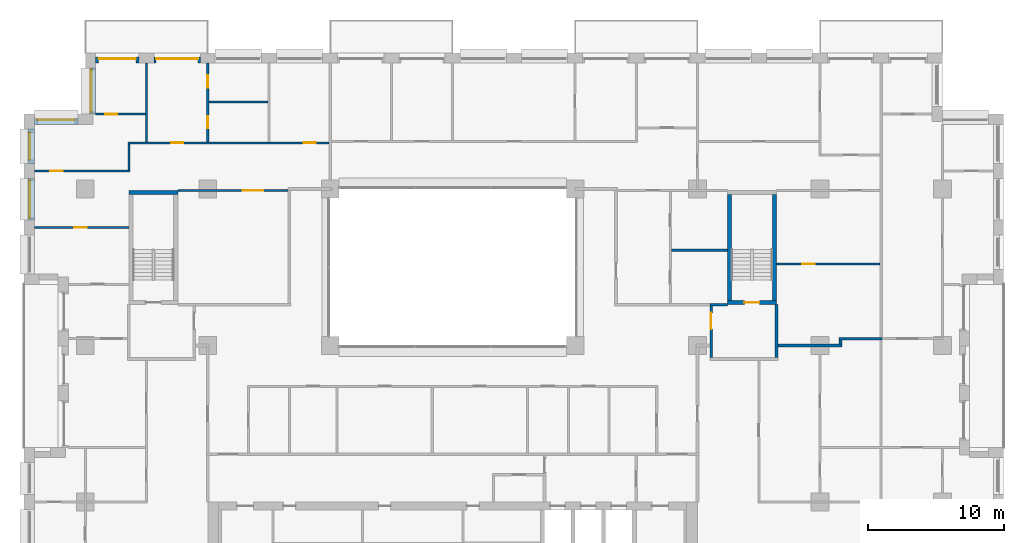
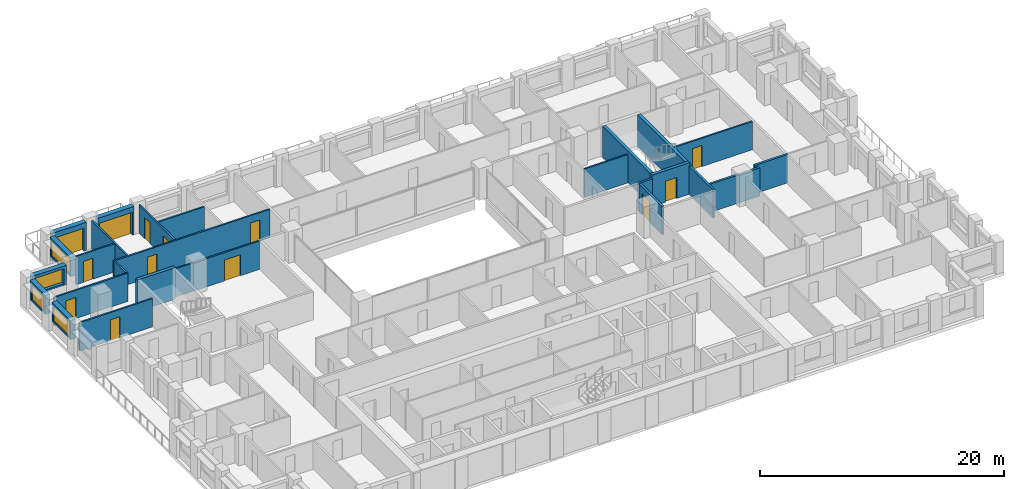
# One storey, part 12 of 16: 27 walls, 13 doors, 4 windows, 17 openings.
"""IFC4 building model written with IfcOpenShell, lengths in metres."""

import ifcopenshell
import ifcopenshell.guid

model = None  # the IFC model being written
_history = None  # IfcOwnerHistory: only IFC2X3 demands one
_inside = {}  # id of a spatial element -> (the spatial element, [elements in it])
_under = {}  # id of a project, library or spatial element -> (it, [spatial elements below it])
_declared = {}  # id of a project -> (the project, [libraries it declares])
_typed = {}  # id of a type object -> (the type object, [elements of that type])
_made_of = {}  # id of a material, layer set ... -> (it, [elements and type objects made of it])


def new_model(schema):
    """Start an empty IFC model of exactly this schema.

    Asked for "IFC4X3", IfcOpenShell would pick the latest addendum, in which some entities
    have other attributes; the version numbers below select the first issue.
    IFC2X3 requires an IfcOwnerHistory on every rooted entity: one is made here for all.
    """
    global model, _history
    if schema == "IFC4X3":
        model = ifcopenshell.file(schema_version=(4, 3, 0, 0))
    else:
        model = ifcopenshell.file(schema=schema)
    _inside.clear()
    _under.clear()
    _declared.clear()
    _typed.clear()
    _made_of.clear()
    _history = None
    if model.schema == "IFC2X3":
        org = make("IfcOrganization", Name="unknown")
        user = make(
            "IfcPersonAndOrganization",
            ThePerson=make("IfcPerson", FamilyName="unknown"),
            TheOrganization=org,
        )
        app = make(
            "IfcApplication",
            ApplicationDeveloper=org,
            Version="unknown",
            ApplicationFullName="unknown",
            ApplicationIdentifier="unknown",
        )
        _history = make(
            "IfcOwnerHistory",
            OwningUser=user,
            OwningApplication=app,
            ChangeAction="ADDED",
            CreationDate=0,
        )
    return model


def make(cls, **values):
    """One entity of the class cls with the attributes given. An attribute that is None is left unset."""
    return model.create_entity(
        cls, **{name: value for name, value in values.items() if value is not None}
    )


def rooted(cls, **values):
    """An entity with a GlobalId (a new one), such as an element, a storey or a relation."""
    return make(cls, GlobalId=ifcopenshell.guid.new(), OwnerHistory=_history, **values)


def si_unit(unit_type, name, prefix=None):
    """IfcSIUnit, for example si_unit("LENGTHUNIT", "METRE", prefix="MILLI")."""
    return make("IfcSIUnit", UnitType=unit_type, Prefix=prefix, Name=name)


def assignment(units):
    """IfcUnitAssignment: the units of a project."""
    return None if units is None else make("IfcUnitAssignment", Units=units)


def point(xyz):
    """IfcCartesianPoint."""
    return None if xyz is None else make("IfcCartesianPoint", Coordinates=xyz)


def direction(xyz):
    """IfcDirection."""
    return None if xyz is None else make("IfcDirection", DirectionRatios=xyz)


def frame(location, z_axis=None, x_axis=None):
    """IfcAxis2Placement3D, a coordinate frame: its origin and axes. An axis left out is left unset."""
    return make(
        "IfcAxis2Placement3D",
        Location=point(location),
        Axis=direction(z_axis),
        RefDirection=direction(x_axis),
    )


def frame_2d(location, x_axis=None):
    """IfcAxis2Placement2D, a coordinate frame in the plane: its origin and x axis."""
    return make(
        "IfcAxis2Placement2D", Location=point(location), RefDirection=direction(x_axis)
    )


def origin():
    """The frame at (0, 0, 0) with its axes left unset."""
    return frame((0.0, 0.0, 0.0))


def place(relative_to, where):
    """IfcLocalPlacement: puts the frame where relative to a parent placement (None: the world)."""
    return make(
        "IfcLocalPlacement", PlacementRelTo=relative_to, RelativePlacement=where
    )


def context(
    kind, dimensions, precision=None, world=None, true_north=None, identifier=None
):
    """IfcGeometricRepresentationContext, for example the 3D "Model" context."""
    return make(
        "IfcGeometricRepresentationContext",
        ContextIdentifier=identifier,
        ContextType=kind,
        CoordinateSpaceDimension=dimensions,
        Precision=precision,
        WorldCoordinateSystem=world,
        TrueNorth=true_north,
    )


def subcontext(parent, identifier, kind, view, scale=None):
    """IfcGeometricRepresentationSubContext, for example "Body" below "Model"."""
    return make(
        "IfcGeometricRepresentationSubContext",
        ContextIdentifier=identifier,
        ContextType=kind,
        ParentContext=parent,
        TargetScale=scale,
        TargetView=view,
    )


def project(units=None, contexts=None):
    """IfcProject with its units and contexts."""
    return rooted(
        "IfcProject",
        Name="project",
        RepresentationContexts=contexts,
        UnitsInContext=assignment(units),
    )


def spatial(cls, under=None, at=None, **own):
    """A site, building, storey or space (cls), placed at a placement, below another one or the project."""
    s = rooted(cls, ObjectPlacement=at, **own)
    if under is not None:
        _under.setdefault(under.id(), (under, []))[1].append(s)
    return s


def profile(cls, at=None, kind="AREA", **sizes):
    """A parametric profile (cls). Its sizes go by their IFC names, for example OverallWidth=200.0."""
    return make(cls, ProfileType=kind, Position=at, **sizes)


def rectangle(**sizes):
    """IfcRectangleProfileDef."""
    return profile("IfcRectangleProfileDef", **sizes)


def extrude(swept, where, along, depth):
    """IfcExtrudedAreaSolid: the profile swept, set in the frame where, extruded along a direction by depth."""
    return make(
        "IfcExtrudedAreaSolid",
        SweptArea=swept,
        Position=where,
        ExtrudedDirection=direction(along),
        Depth=depth,
    )


def shape(context_of_items, identifier, shape_type, items):
    """IfcShapeRepresentation: the items that make up one representation, for example the "Body"."""
    return make(
        "IfcShapeRepresentation",
        ContextOfItems=context_of_items,
        RepresentationIdentifier=identifier,
        RepresentationType=shape_type,
        Items=items,
    )


def material(Name=None, Category=None):
    """IfcMaterial."""
    return make("IfcMaterial", Name=Name, Category=Category)


def layer(
    of_material, thickness, ventilated=None, Name=None, Category=None, Priority=None
):
    """IfcMaterialLayer: one layer of a wall or slab, of a material (None: an air gap)."""
    return make(
        "IfcMaterialLayer",
        Material=of_material,
        LayerThickness=thickness,
        IsVentilated=ventilated,
        Name=Name,
        Category=Category,
        Priority=Priority,
    )


def layer_set(layers, Name=None):
    """IfcMaterialLayerSet."""
    return make("IfcMaterialLayerSet", MaterialLayers=layers, LayerSetName=Name)


def made_of(thing, what):
    """Note that an element or type object is made of a material, layer set ...; save() writes the relation."""
    if what is not None:
        _made_of.setdefault(what.id(), (what, []))[1].append(thing)
    return thing


def type_object(cls, material=None, **own):
    """A type object (cls), such as IfcWallType, which elements share."""
    return made_of(rooted(cls, **own), material)


def element(
    cls,
    number,
    at=None,
    inside=None,
    cuts=None,
    type_object=None,
    material=None,
    context=None,
    identifier="Body",
    shape_type=None,
    held_by="IfcProductDefinitionShape",
    body=None,
    shapes=None,
    **own,
):
    """One element of the class cls, such as IfcWall. Its Tag is "e" and its number.

    at: its placement. inside: the storey or other place that contains it. cuts: it is an
    opening in that element (IfcRelVoidsElement). A single representation is given by context,
    identifier, shape_type and body (its items); several are given by shapes. held_by: the class
    of the entity that holds the representations. save() writes the other relations.
    """
    e = rooted(cls, Tag="e%d" % number, ObjectPlacement=at, **own)
    if body is not None:
        shapes = [shape(context, identifier, shape_type, body)]
    if shapes is not None:
        e.Representation = make(held_by, Representations=shapes)
    if inside is not None:
        _inside.setdefault(inside.id(), (inside, []))[1].append(e)
    if cuts is not None:
        rooted(
            "IfcRelVoidsElement", RelatingBuildingElement=cuts, RelatedOpeningElement=e
        )
    if type_object is not None:
        _typed.setdefault(type_object.id(), (type_object, []))[1].append(e)
    return made_of(e, material)


def fill(opening, filler):
    """IfcRelFillsElement: the door or window that sits in an opening."""
    return rooted(
        "IfcRelFillsElement",
        RelatingOpeningElement=opening,
        RelatedBuildingElement=filler,
    )


def aggregate(whole, parts):
    """IfcRelAggregates: a whole, such as a stair, and the parts it consists of."""
    return rooted("IfcRelAggregates", RelatingObject=whole, RelatedObjects=parts)


def save(model, path):
    """Write the relations noted so far, then the file.

    IfcRelAggregates (storeys below a building ...), IfcRelContainedInSpatialStructure (elements
    in a storey), IfcRelDefinesByType, IfcRelAssociatesMaterial and IfcRelDeclares: one each for
    every whole, place, type object, material and project.
    """
    for whole, parts in _under.values():
        aggregate(whole, parts)
    for where, things in _inside.values():
        rooted(
            "IfcRelContainedInSpatialStructure",
            RelatedElements=things,
            RelatingStructure=where,
        )
    for kind, things in _typed.values():
        rooted("IfcRelDefinesByType", RelatedObjects=things, RelatingType=kind)
    for what, things in _made_of.values():
        rooted("IfcRelAssociatesMaterial", RelatedObjects=things, RelatingMaterial=what)
    for by, libraries in _declared.values():
        rooted("IfcRelDeclares", RelatingContext=by, RelatedDefinitions=libraries)
    model.write(path)


model = new_model("IFC4")

# Units and contexts
model_context = context("Model", 3, precision=1e-05, world=origin(), true_north=direction((0.0, 1.0)))
body_context = subcontext(model_context, "Body", "Model", "MODEL_VIEW")
ifc_project = project(units=[si_unit("LENGTHUNIT", "METRE"), si_unit("AREAUNIT", "SQUARE_METRE"), si_unit("VOLUMEUNIT", "CUBIC_METRE"), si_unit("PLANEANGLEUNIT", "RADIAN"), si_unit("MASSUNIT", "GRAM", prefix="KILO")], contexts=[model_context])

# Site, building, storey
site_placement = place(None, origin())
site = spatial("IfcSite", under=ifc_project, at=site_placement, CompositionType="ELEMENT")
building_placement = place(site_placement, origin())
building = spatial("IfcBuilding", under=site, at=building_placement, Name="Brigalow Station Residences", CompositionType="ELEMENT")
storey_placement = place(building_placement, frame((0.0, 0.0, 124.5)))
storey = spatial("IfcBuildingStorey", under=building, at=storey_placement, Name="L36", CompositionType="ELEMENT", Elevation=124.5)

# Wall, opening, door
ifc_material_1 = material(Name="Clay brick masonry", Category="masonry")
ifc_layer_1 = layer(ifc_material_1, 0.449951171875)
ifc_layer_set_1 = layer_set([ifc_layer_1], Name="BRICK INFILL WALL 450")
wall_type_1 = type_object("IfcWallType", Name="BRICK INFILL WALL 450", PredefinedType="SOLIDWALL", material=ifc_layer_set_1)
wall_1_placement = place(storey_placement, frame((17.449951171875, 44.97509765625, 0.0), z_axis=(0.0, 0.0, 1.0), x_axis=(-1.0, 0.0, 0.0)))
wall_1 = element("IfcWall", 1, at=wall_1_placement, inside=storey, type_object=wall_type_1, Name="L36/ewall/W-L36-35", PredefinedType="SOLIDWALL", context=body_context, shape_type="SweptSolid", body=[
    extrude(rectangle(XDim=3.39990234375, YDim=0.449951171875, at=frame_2d((1.699951171875, 0.0))), origin(), (0.0, 0.0, 1.0), 2.830078125),
])
opening_1_placement = place(wall_1_placement, frame((0.14990234375, 0.0, 0.0)))
opening_1 = element("IfcOpeningElement", 2, at=opening_1_placement, cuts=wall_1, Name="Opening D-B3100", PredefinedType="OPENING", context=body_context, shape_type="SweptSolid", body=[
    extrude(rectangle(XDim=3.10009765625, YDim=2.300048828125, at=frame_2d((1.550048828125, 1.14990234375))), frame((0.0, 0.23486328125, 0.0), z_axis=(0.0, -1.0, 0.0), x_axis=(1.0, 0.0, 0.0)), (0.0, 0.0, 1.0), 0.469970703125),
])
ifc_material_2 = material(Name="Anodised aluminium frame with double glazing", Category="aluminium")
door_type_1 = type_object("IfcDoorType", Name="BALCONY SLIDING DOOR 3100x2300", OperationType="SLIDING_TO_LEFT", PredefinedType="DOOR", material=ifc_material_2)
door_1_placement = place(opening_1_placement, origin())
door_1 = element("IfcDoor", 3, at=door_1_placement, inside=storey, type_object=door_type_1, Name="L36/balcony-door/W-L36-35", OperationType="SLIDING_TO_LEFT", OverallHeight=2.300048828125, OverallWidth=3.10009765625, PredefinedType="DOOR", context=body_context, shape_type="SweptSolid", body=[
    extrude(rectangle(XDim=3.10009765625, YDim=2.300048828125, at=frame_2d((1.550048828125, 1.14990234375))), frame((0.0, -0.06982421875, 0.0), z_axis=(0.0, -1.0, 0.0), x_axis=(1.0, 0.0, 0.0)), (0.0, 0.0, 1.0), 0.050048828125),
])
fill(opening_1, door_1)

wall_2_placement = place(storey_placement, frame((12.949951171875, 44.97509765625, 0.0), z_axis=(0.0, 0.0, 1.0), x_axis=(-1.0, 0.0, 0.0)))
wall_2 = element("IfcWall", 4, at=wall_2_placement, inside=storey, type_object=wall_type_1, Name="L36/ewall/W-L36-36", PredefinedType="SOLIDWALL", context=body_context, shape_type="SweptSolid", body=[
    extrude(rectangle(XDim=3.199951171875, YDim=0.449951171875, at=frame_2d((1.60009765625, 0.0))), origin(), (0.0, 0.0, 1.0), 2.830078125),
])
opening_2_placement = place(wall_2_placement, frame((0.22509765625, 0.0, 0.0)))
opening_2 = element("IfcOpeningElement", 5, at=opening_2_placement, cuts=wall_2, Name="Opening D-B2750", PredefinedType="OPENING", context=body_context, shape_type="SweptSolid", body=[
    extrude(rectangle(XDim=2.75, YDim=2.300048828125, at=frame_2d((1.375, 1.14990234375))), frame((0.0, 0.23486328125, 0.0), z_axis=(0.0, -1.0, 0.0), x_axis=(1.0, 0.0, 0.0)), (0.0, 0.0, 1.0), 0.469970703125),
])
ifc_material_3 = material(Name="Anodised aluminium frame with double glazing", Category="aluminium")
door_type_2 = type_object("IfcDoorType", Name="BALCONY SLIDING DOOR 2750x2300", OperationType="SLIDING_TO_LEFT", PredefinedType="DOOR", material=ifc_material_3)
door_2_placement = place(opening_2_placement, origin())
door_2 = element("IfcDoor", 6, at=door_2_placement, inside=storey, type_object=door_type_2, Name="L36/balcony-door/W-L36-36", OperationType="SLIDING_TO_LEFT", OverallHeight=2.300048828125, OverallWidth=2.75, PredefinedType="DOOR", context=body_context, shape_type="SweptSolid", body=[
    extrude(rectangle(XDim=2.75, YDim=2.300048828125, at=frame_2d((1.375, 1.14990234375))), frame((0.0, -0.06982421875, 0.0), z_axis=(0.0, -1.0, 0.0), x_axis=(1.0, 0.0, 0.0)), (0.0, 0.0, 1.0), 0.050048828125),
])
fill(opening_2, door_2)

# Wall, opening, window
wall_3_placement = place(storey_placement, frame((9.52490234375, 44.39990234375, 0.89990234375), z_axis=(0.0, 0.0, 1.0), x_axis=(0.0, -1.0, 0.0)))
wall_3 = element("IfcWall", 7, at=wall_3_placement, inside=storey, type_object=wall_type_1, Name="L36/ewall/W-L36-37", PredefinedType="SOLIDWALL", context=body_context, shape_type="SweptSolid", body=[
    extrude(rectangle(XDim=3.39990234375, YDim=0.449951171875, at=frame_2d((1.699951171875, 0.0))), origin(), (0.0, 0.0, 1.0), 1.93017578125),
])
opening_3_placement = place(wall_3_placement, frame((0.14990234375, 0.0, 0.14990234375)))
opening_3 = element("IfcOpeningElement", 8, at=opening_3_placement, cuts=wall_3, Name="Opening WT-8", PredefinedType="OPENING", context=body_context, shape_type="SweptSolid", body=[
    extrude(rectangle(XDim=3.10009765625, YDim=1.5, at=frame_2d((1.550048828125, 0.75))), frame((0.0, 0.23486328125, 0.0), z_axis=(0.0, -1.0, 0.0), x_axis=(1.0, 0.0, 0.0)), (0.0, 0.0, 1.0), 0.469970703125),
])
ifc_material_4 = material(Name="Anodised aluminium frame with double glazing", Category="aluminium")
window_type_1 = type_object("IfcWindowType", Name="WINDOW 3100x1500", PartitioningType="SINGLE_PANEL", PredefinedType="WINDOW", material=ifc_material_4)
window_1_placement = place(opening_3_placement, origin())
window_1 = element("IfcWindow", 9, at=window_1_placement, inside=storey, type_object=window_type_1, Name="L36/window/W-L36-37", OverallHeight=1.5, OverallWidth=3.10009765625, PartitioningType="SINGLE_PANEL", PredefinedType="WINDOW", context=body_context, shape_type="SweptSolid", body=[
    extrude(rectangle(XDim=3.10009765625, YDim=1.5, at=frame_2d((1.550048828125, 0.75))), frame((0.0, -0.06494140625, 0.0), z_axis=(0.0, -1.0, 0.0), x_axis=(1.0, 0.0, 0.0)), (0.0, 0.0, 1.0), 0.06005859375),
])
fill(opening_3, window_1)

wall_4_placement = place(storey_placement, frame((8.449951171875, 40.47509765625, 0.89990234375), z_axis=(0.0, 0.0, 1.0), x_axis=(-1.0, 0.0, 0.0)))
wall_4 = element("IfcWall", 10, at=wall_4_placement, inside=storey, type_object=wall_type_1, Name="L36/ewall/W-L36-38", PredefinedType="SOLIDWALL", context=body_context, shape_type="SweptSolid", body=[
    extrude(rectangle(XDim=3.199951171875, YDim=0.449951171875, at=frame_2d((1.60009765625, 0.0))), origin(), (0.0, 0.0, 1.0), 1.93017578125),
])
opening_4_placement = place(wall_4_placement, frame((0.22509765625, 0.0, 0.14990234375)))
opening_4 = element("IfcOpeningElement", 11, at=opening_4_placement, cuts=wall_4, Name="Opening WT-3", PredefinedType="OPENING", context=body_context, shape_type="SweptSolid", body=[
    extrude(rectangle(XDim=2.75, YDim=1.5, at=frame_2d((1.375, 0.75))), frame((0.0, 0.23486328125, 0.0), z_axis=(0.0, -1.0, 0.0), x_axis=(1.0, 0.0, 0.0)), (0.0, 0.0, 1.0), 0.469970703125),
])
ifc_material_5 = material(Name="Anodised aluminium frame with double glazing", Category="aluminium")
window_type_2 = type_object("IfcWindowType", Name="WINDOW 2750x1500", PartitioningType="SINGLE_PANEL", PredefinedType="WINDOW", material=ifc_material_5)
window_2_placement = place(opening_4_placement, origin())
window_2 = element("IfcWindow", 12, at=window_2_placement, inside=storey, type_object=window_type_2, Name="L36/window/W-L36-38", OverallHeight=1.5, OverallWidth=2.75, PartitioningType="SINGLE_PANEL", PredefinedType="WINDOW", context=body_context, shape_type="SweptSolid", body=[
    extrude(rectangle(XDim=2.75, YDim=1.5, at=frame_2d((1.375, 0.75))), frame((0.0, -0.06494140625, 0.0), z_axis=(0.0, -1.0, 0.0), x_axis=(1.0, 0.0, 0.0)), (0.0, 0.0, 1.0), 0.06005859375),
])
fill(opening_4, window_2)

wall_5_placement = place(storey_placement, frame((5.02490234375, 39.89990234375, 0.89990234375), z_axis=(0.0, 0.0, 1.0), x_axis=(0.0, -1.0, 0.0)))
wall_5 = element("IfcWall", 13, at=wall_5_placement, inside=storey, type_object=wall_type_1, Name="L36/ewall/W-L36-39", PredefinedType="SOLIDWALL", context=body_context, shape_type="SweptSolid", body=[
    extrude(rectangle(XDim=2.516845703125, YDim=0.449951171875, at=frame_2d((1.25830078125, 0.0))), origin(), (0.0, 0.0, 1.0), 1.93017578125),
])
opening_5_placement = place(wall_5_placement, frame((0.258544921875, 0.0, 0.14990234375)))
opening_5 = element("IfcOpeningElement", 14, at=opening_5_placement, cuts=wall_5, Name="Opening WT-7", PredefinedType="OPENING", context=body_context, shape_type="SweptSolid", body=[
    extrude(rectangle(XDim=2.0, YDim=1.5, at=frame_2d((1.0, 0.75))), frame((0.0, 0.23486328125, 0.0), z_axis=(0.0, -1.0, 0.0), x_axis=(1.0, 0.0, 0.0)), (0.0, 0.0, 1.0), 0.469970703125),
])
ifc_material_6 = material(Name="Anodised aluminium frame with double glazing", Category="aluminium")
window_type_3 = type_object("IfcWindowType", Name="WINDOW 2000x1500", PartitioningType="SINGLE_PANEL", PredefinedType="WINDOW", material=ifc_material_6)
window_3_placement = place(opening_5_placement, origin())
window_3 = element("IfcWindow", 15, at=window_3_placement, inside=storey, type_object=window_type_3, Name="L36/window/W-L36-39", OverallHeight=1.5, OverallWidth=2.0, PartitioningType="SINGLE_PANEL", PredefinedType="WINDOW", context=body_context, shape_type="SweptSolid", body=[
    extrude(rectangle(XDim=2.0, YDim=1.5, at=frame_2d((1.0, 0.75))), frame((0.0, -0.06494140625, 0.0), z_axis=(0.0, -1.0, 0.0), x_axis=(1.0, 0.0, 0.0)), (0.0, 0.0, 1.0), 0.06005859375),
])
fill(opening_5, window_3)

wall_6_placement = place(storey_placement, frame((5.02490234375, 36.282958984375, 0.89990234375), z_axis=(0.0, 0.0, 1.0), x_axis=(0.0, -1.0, 0.0)))
wall_6 = element("IfcWall", 16, at=wall_6_placement, inside=storey, type_object=wall_type_1, Name="L36/ewall/W-L36-40", PredefinedType="SOLIDWALL", context=body_context, shape_type="SweptSolid", body=[
    extrude(rectangle(XDim=3.06591796875, YDim=0.449951171875, at=frame_2d((1.532958984375, 0.0))), origin(), (0.0, 0.0, 1.0), 1.93017578125),
])
opening_6_placement = place(wall_6_placement, frame((0.157958984375, 0.0, 0.14990234375)))
opening_6 = element("IfcOpeningElement", 17, at=opening_6_placement, cuts=wall_6, Name="Opening WT-3", PredefinedType="OPENING", context=body_context, shape_type="SweptSolid", body=[
    extrude(rectangle(XDim=2.75, YDim=1.5, at=frame_2d((1.375, 0.75))), frame((0.0, 0.23486328125, 0.0), z_axis=(0.0, -1.0, 0.0), x_axis=(1.0, 0.0, 0.0)), (0.0, 0.0, 1.0), 0.469970703125),
])
window_4_placement = place(opening_6_placement, origin())
window_4 = element("IfcWindow", 18, at=window_4_placement, inside=storey, type_object=window_type_2, Name="L36/window/W-L36-40", OverallHeight=1.5, OverallWidth=2.75, PartitioningType="SINGLE_PANEL", PredefinedType="WINDOW", context=body_context, shape_type="SweptSolid", body=[
    extrude(rectangle(XDim=2.75, YDim=1.5, at=frame_2d((1.375, 0.75))), frame((0.0, -0.06494140625, 0.0), z_axis=(0.0, -1.0, 0.0), x_axis=(1.0, 0.0, 0.0)), (0.0, 0.0, 1.0), 0.06005859375),
])
fill(opening_6, window_4)

# Wall
ifc_material_7 = material(Name="Concrete C65", Category="concrete")
ifc_layer_2 = layer(ifc_material_7, 0.300048828125)
ifc_layer_set_2 = layer_set([ifc_layer_2], Name="CORE SHEAR WALL 300 C65")
wall_type_2 = type_object("IfcWallType", Name="CORE SHEAR WALL 300 C65", PredefinedType="SHEAR", material=ifc_layer_set_2)
wall_7_placement = place(storey_placement, frame((12.199951171875, 35.25, 0.0), z_axis=(0.0, 0.0, 1.0), x_axis=(1.0, 0.0, 0.0)))
element("IfcWall", 19, at=wall_7_placement, inside=storey, type_object=wall_type_2, Name="CORE WALL ST-S1-N L36", PredefinedType="SHEAR", context=body_context, shape_type="SweptSolid", body=[
    extrude(rectangle(XDim=3.60009765625, YDim=0.300048828125, at=frame_2d((1.800048828125, 0.0))), origin(), (0.0, 0.0, 1.0), 3.14990234375),
])

# Wall, opening, door
wall_8_placement = place(storey_placement, frame((56.199951171875, 27.14990234375, 0.0), z_axis=(0.0, 0.0, 1.0), x_axis=(1.0, 0.0, 0.0)))
wall_8 = element("IfcWall", 20, at=wall_8_placement, inside=storey, type_object=wall_type_2, Name="CORE WALL ST-S3-S L36", PredefinedType="SHEAR", context=body_context, shape_type="SweptSolid", body=[
    extrude(rectangle(XDim=3.60009765625, YDim=0.300048828125, at=frame_2d((1.800048828125, 0.0))), origin(), (0.0, 0.0, 1.0), 3.14990234375),
])
opening_7_placement = place(wall_8_placement, frame((1.25, 0.0, 0.0)))
opening_7 = element("IfcOpeningElement", 21, at=opening_7_placement, cuts=wall_8, Name="Opening D-5018", PredefinedType="OPENING", context=body_context, shape_type="SweptSolid", body=[
    extrude(rectangle(XDim=1.10009765625, YDim=2.10009765625, at=frame_2d((0.550048828125, 1.050048828125))), frame((0.0, 0.16015625, 0.0), z_axis=(0.0, -1.0, 0.0), x_axis=(1.0, 0.0, 0.0)), (0.0, 0.0, 1.0), 0.320068359375),
])
ifc_material_8 = material(Name="Steel fire door leaf in steel frame", Category="steel")
door_type_3 = type_object("IfcDoorType", Name="STAIR DOOR 1100 x 2100 FD60S", OperationType="SINGLE_SWING_LEFT", PredefinedType="DOOR", material=ifc_material_8)
door_3_placement = place(opening_7_placement, origin())
door_3 = element("IfcDoor", 22, at=door_3_placement, inside=storey, type_object=door_type_3, Name="D-5018", OperationType="SINGLE_SWING_LEFT", OverallHeight=2.10009765625, OverallWidth=1.10009765625, PredefinedType="DOOR", context=body_context, shape_type="SweptSolid", body=[
    extrude(rectangle(XDim=1.10009765625, YDim=2.10009765625, at=frame_2d((0.550048828125, 1.050048828125))), frame((0.0, 0.02490234375, 0.0), z_axis=(0.0, -1.0, 0.0), x_axis=(1.0, 0.0, 0.0)), (0.0, 0.0, 1.0), 0.050048828125),
])
fill(opening_7, door_3)

# Walls
for number, where, z_axis, x_axis, name in (
    (23, (56.35009765625, 27.300048828125, 0.0), (0.0, 0.0, 1.0), (0.0, 1.0, 0.0), "CORE WALL ST-S3-W L36"),
    (24, (59.64990234375, 27.300048828125, 0.0), (0.0, 0.0, 1.0), (0.0, 1.0, 0.0), "CORE WALL ST-S3-E L36"),
):
    element("IfcWall", number, at=place(storey_placement, frame(where, z_axis=z_axis, x_axis=x_axis)), inside=storey, type_object=wall_type_2, Name=name, PredefinedType="SHEAR", context=body_context, shape_type="SweptSolid", body=[
        extrude(rectangle(XDim=7.800048828125, YDim=0.300048828125, at=frame_2d((3.89990234375, 0.0))), origin(), (0.0, 0.0, 1.0), 3.14990234375),
    ])
ifc_material_9 = material(Name="Concrete blockwork", Category="masonry")
ifc_layer_3 = layer(ifc_material_9, 0.199951171875)
ifc_layer_set_3 = layer_set([ifc_layer_3], Name="FIRE RATED CORE PARTITION 200")
wall_type_3 = type_object("IfcWallType", Name="FIRE RATED CORE PARTITION 200", PredefinedType="PARTITIONING", material=ifc_layer_set_3)
wall_9_placement = place(storey_placement, frame((54.89990234375, 27.0, 0.0), z_axis=(0.0, 0.0, 1.0), x_axis=(1.0, 0.0, 0.0)))
element("IfcWall", 25, at=wall_9_placement, inside=storey, type_object=wall_type_3, Name="PW-5026", PredefinedType="PARTITIONING", context=body_context, shape_type="SweptSolid", body=[
    extrude(rectangle(XDim=1.300048828125, YDim=0.199951171875, at=frame_2d((0.64990234375, 0.0))), origin(), (0.0, 0.0, 1.0), 2.830078125),
])

# Wall, opening, door
wall_10_placement = place(storey_placement, frame((55.0, 23.10009765625, 0.0), z_axis=(0.0, 0.0, 1.0), x_axis=(0.0, 1.0, 0.0)))
wall_10 = element("IfcWall", 26, at=wall_10_placement, inside=storey, type_object=wall_type_3, Name="PW-5036", PredefinedType="PARTITIONING", context=body_context, shape_type="SweptSolid", body=[
    extrude(rectangle(XDim=3.7998046875, YDim=0.199951171875, at=frame_2d((1.89990234375, 0.0))), origin(), (0.0, 0.0, 1.0), 2.830078125),
])
opening_8_placement = place(wall_10_placement, frame((2.10009765625, 0.0, 0.0)))
opening_8 = element("IfcOpeningElement", 27, at=opening_8_placement, cuts=wall_10, Name="Opening D-5019", PredefinedType="OPENING", context=body_context, shape_type="SweptSolid", body=[
    extrude(rectangle(XDim=1.199951171875, YDim=2.10009765625, at=frame_2d((0.60009765625, 1.050048828125))), frame((0.0, 0.10986328125, 0.0), z_axis=(0.0, -1.0, 0.0), x_axis=(1.0, 0.0, 0.0)), (0.0, 0.0, 1.0), 0.219970703125),
])
ifc_material_10 = material(Name="Steel fire door leaf in steel frame", Category="steel")
door_type_4 = type_object("IfcDoorType", Name="STAIR LOBBY DOOR 1200 x 2100 FD60S", OperationType="SINGLE_SWING_LEFT", PredefinedType="DOOR", material=ifc_material_10)
door_4_placement = place(opening_8_placement, frame((1.199951171875, 0.0, 0.0), z_axis=(0.0, 0.0, 1.0), x_axis=(-1.0, 0.0, 0.0)))
door_4 = element("IfcDoor", 28, at=door_4_placement, inside=storey, type_object=door_type_4, Name="D-5019", OperationType="SINGLE_SWING_LEFT", OverallHeight=2.10009765625, OverallWidth=1.199951171875, PredefinedType="DOOR", context=body_context, shape_type="SweptSolid", body=[
    extrude(rectangle(XDim=1.199951171875, YDim=2.10009765625, at=frame_2d((0.60009765625, 1.050048828125))), frame((0.0, 0.02490234375, 0.0), z_axis=(0.0, -1.0, 0.0), x_axis=(1.0, 0.0, 0.0)), (0.0, 0.0, 1.0), 0.050048828125),
])
fill(opening_8, door_4)

# Wall
wall_11_placement = place(storey_placement, frame((59.800048828125, 23.10009765625, 0.0), z_axis=(0.0, 0.0, 1.0), x_axis=(0.0, 1.0, 0.0)))
element("IfcWall", 29, at=wall_11_placement, inside=storey, type_object=wall_type_3, Name="PW-5037", PredefinedType="PARTITIONING", context=body_context, shape_type="SweptSolid", body=[
    extrude(rectangle(XDim=3.89990234375, YDim=0.199951171875, at=frame_2d((1.949951171875, 0.0))), origin(), (0.0, 0.0, 1.0), 2.830078125),
])

# Wall, opening, door
ifc_material_11 = material(Name="Plasterboard on steel stud partition", Category="steel")
ifc_layer_4 = layer(ifc_material_11, 0.14990234375)
ifc_layer_set_4 = layer_set([ifc_layer_4], Name="FLAT PARTITION 150")
wall_type_4 = type_object("IfcWallType", Name="FLAT PARTITION 150", PredefinedType="PARTITIONING", material=ifc_layer_set_4)
wall_12_placement = place(storey_placement, frame((5.25, 32.6669921875, 0.0), z_axis=(0.0, 0.0, 1.0), x_axis=(1.0, 0.0, 0.0)))
wall_12 = element("IfcWall", 30, at=wall_12_placement, inside=storey, type_object=wall_type_4, Name="PW-2F22", PredefinedType="PARTITIONING", context=body_context, shape_type="SweptSolid", body=[
    extrude(rectangle(XDim=6.949951171875, YDim=0.14990234375, at=frame_2d((3.47509765625, 0.0))), origin(), (0.0, 0.0, 1.0), 2.830078125),
])
opening_9_placement = place(wall_12_placement, frame((2.949951171875, 0.0, 0.0)))
opening_9 = element("IfcOpeningElement", 31, at=opening_9_placement, cuts=wall_12, Name="Opening D-2F12", PredefinedType="OPENING", context=body_context, shape_type="SweptSolid", body=[
    extrude(rectangle(XDim=0.89990234375, YDim=2.10009765625, at=frame_2d((0.449951171875, 1.050048828125))), frame((0.0, 0.0849609375, 0.0), z_axis=(0.0, -1.0, 0.0), x_axis=(1.0, 0.0, 0.0)), (0.0, 0.0, 1.0), 0.169921875),
])
ifc_material_12 = material(Name="Solid-core timber door leaf", Category="wood")
door_type_5 = type_object("IfcDoorType", Name="INTERNAL DOOR 900 x 2100", OperationType="SINGLE_SWING_LEFT", PredefinedType="DOOR", material=ifc_material_12)
door_5_placement = place(opening_9_placement, frame((0.89990234375, 0.0, 0.0), z_axis=(0.0, 0.0, 1.0), x_axis=(-1.0, 0.0, 0.0)))
door_5 = element("IfcDoor", 32, at=door_5_placement, inside=storey, type_object=door_type_5, Name="D-2F12", OperationType="SINGLE_SWING_RIGHT", OverallHeight=2.10009765625, OverallWidth=0.89990234375, PredefinedType="DOOR", context=body_context, shape_type="SweptSolid", body=[
    extrude(rectangle(XDim=0.89990234375, YDim=2.10009765625, at=frame_2d((0.449951171875, 1.050048828125))), frame((0.0, 0.02490234375, 0.0), z_axis=(0.0, -1.0, 0.0), x_axis=(1.0, 0.0, 0.0)), (0.0, 0.0, 1.0), 0.050048828125),
])
fill(opening_9, door_5)

wall_13_placement = place(storey_placement, frame((5.25, 36.8330078125, 0.0), z_axis=(0.0, 0.0, 1.0), x_axis=(1.0, 0.0, 0.0)))
wall_13 = element("IfcWall", 33, at=wall_13_placement, inside=storey, type_object=wall_type_4, Name="PW-2F23", PredefinedType="PARTITIONING", context=body_context, shape_type="SweptSolid", body=[
    extrude(rectangle(XDim=7.02490234375, YDim=0.14990234375, at=frame_2d((3.512451171875, 0.0))), origin(), (0.0, 0.0, 1.0), 2.830078125),
])
opening_10_placement = place(wall_13_placement, frame((1.175048828125, 0.0, 0.0)))
opening_10 = element("IfcOpeningElement", 34, at=opening_10_placement, cuts=wall_13, Name="Opening D-2F13", PredefinedType="OPENING", context=body_context, shape_type="SweptSolid", body=[
    extrude(rectangle(XDim=0.89990234375, YDim=2.10009765625, at=frame_2d((0.449951171875, 1.050048828125))), frame((0.0, 0.0849609375, 0.0), z_axis=(0.0, -1.0, 0.0), x_axis=(1.0, 0.0, 0.0)), (0.0, 0.0, 1.0), 0.169921875),
])
door_6_placement = place(opening_10_placement, origin())
door_6 = element("IfcDoor", 35, at=door_6_placement, inside=storey, type_object=door_type_5, Name="D-2F13", OperationType="SINGLE_SWING_LEFT", OverallHeight=2.10009765625, OverallWidth=0.89990234375, PredefinedType="DOOR", context=body_context, shape_type="SweptSolid", body=[
    extrude(rectangle(XDim=0.89990234375, YDim=2.10009765625, at=frame_2d((0.449951171875, 1.050048828125))), frame((0.0, 0.02490234375, 0.0), z_axis=(0.0, -1.0, 0.0), x_axis=(1.0, 0.0, 0.0)), (0.0, 0.0, 1.0), 0.050048828125),
])
fill(opening_10, door_6)

# Wall, openings, doors
wall_14_placement = place(storey_placement, frame((12.125, 38.89990234375, 0.0), z_axis=(0.0, 0.0, 1.0), x_axis=(1.0, 0.0, 0.0)))
wall_14 = element("IfcWall", 36, at=wall_14_placement, inside=storey, type_object=wall_type_4, Name="PW-2F25", PredefinedType="PARTITIONING", context=body_context, shape_type="SweptSolid", body=[
    extrude(rectangle(XDim=14.77490234375, YDim=0.14990234375, at=frame_2d((7.387451171875, 0.0))), origin(), (0.0, 0.0, 1.0), 2.830078125),
])
opening_11_placement = place(wall_14_placement, frame((3.175048828125, 0.0, 0.0)))
opening_11 = element("IfcOpeningElement", 37, at=opening_11_placement, cuts=wall_14, Name="Opening D-2F15", PredefinedType="OPENING", context=body_context, shape_type="SweptSolid", body=[
    extrude(rectangle(XDim=0.89990234375, YDim=2.10009765625, at=frame_2d((0.449951171875, 1.050048828125))), frame((0.0, 0.0849609375, 0.0), z_axis=(0.0, -1.0, 0.0), x_axis=(1.0, 0.0, 0.0)), (0.0, 0.0, 1.0), 0.169921875),
])
opening_12_placement = place(wall_14_placement, frame((12.925048828125, 0.0, 0.0)))
opening_12 = element("IfcOpeningElement", 38, at=opening_12_placement, cuts=wall_14, Name="Opening D-2F19", PredefinedType="OPENING", context=body_context, shape_type="SweptSolid", body=[
    extrude(rectangle(XDim=0.89990234375, YDim=2.10009765625, at=frame_2d((0.449951171875, 1.050048828125))), frame((0.0, 0.0849609375, 0.0), z_axis=(0.0, -1.0, 0.0), x_axis=(1.0, 0.0, 0.0)), (0.0, 0.0, 1.0), 0.169921875),
])
door_7_placement = place(opening_11_placement, origin())
door_7 = element("IfcDoor", 39, at=door_7_placement, inside=storey, type_object=door_type_5, Name="D-2F15", OperationType="SINGLE_SWING_RIGHT", OverallHeight=2.10009765625, OverallWidth=0.89990234375, PredefinedType="DOOR", context=body_context, shape_type="SweptSolid", body=[
    extrude(rectangle(XDim=0.89990234375, YDim=2.10009765625, at=frame_2d((0.449951171875, 1.050048828125))), frame((0.0, 0.02490234375, 0.0), z_axis=(0.0, -1.0, 0.0), x_axis=(1.0, 0.0, 0.0)), (0.0, 0.0, 1.0), 0.050048828125),
])
fill(opening_11, door_7)
door_8_placement = place(opening_12_placement, origin())
door_8 = element("IfcDoor", 40, at=door_8_placement, inside=storey, type_object=door_type_5, Name="D-2F19", OperationType="SINGLE_SWING_RIGHT", OverallHeight=2.10009765625, OverallWidth=0.89990234375, PredefinedType="DOOR", context=body_context, shape_type="SweptSolid", body=[
    extrude(rectangle(XDim=0.89990234375, YDim=2.10009765625, at=frame_2d((0.449951171875, 1.050048828125))), frame((0.0, 0.02490234375, 0.0), z_axis=(0.0, -1.0, 0.0), x_axis=(1.0, 0.0, 0.0)), (0.0, 0.0, 1.0), 0.050048828125),
])
fill(opening_12, door_8)

# Wall, opening, door
wall_15_placement = place(storey_placement, frame((15.800048828125, 35.39990234375, 0.0), z_axis=(0.0, 0.0, 1.0), x_axis=(1.0, 0.0, 0.0)))
wall_15 = element("IfcWall", 41, at=wall_15_placement, inside=storey, type_object=wall_type_4, Name="PW-2F26", PredefinedType="PARTITIONING", context=body_context, shape_type="SweptSolid", body=[
    extrude(rectangle(XDim=8.099853515625, YDim=0.14990234375, at=frame_2d((4.0498046875, 0.0))), origin(), (0.0, 0.0, 1.0), 2.830078125),
])
opening_13_placement = place(wall_15_placement, frame((4.77490234375, 0.0, 0.0)))
opening_13 = element("IfcOpeningElement", 42, at=opening_13_placement, cuts=wall_15, Name="Opening D-2F18", PredefinedType="OPENING", context=body_context, shape_type="SweptSolid", body=[
    extrude(rectangle(XDim=1.5, YDim=2.10009765625, at=frame_2d((0.75, 1.050048828125))), frame((0.0, 0.0849609375, 0.0), z_axis=(0.0, -1.0, 0.0), x_axis=(1.0, 0.0, 0.0)), (0.0, 0.0, 1.0), 0.169921875),
])
ifc_material_13 = material(Name="Solid-core timber door leaf", Category="wood")
door_type_6 = type_object("IfcDoorType", Name="INTERNAL DOUBLE DOOR 1500 x 2100", OperationType="DOUBLE_DOOR_SINGLE_SWING", PredefinedType="DOOR", material=ifc_material_13)
door_9_placement = place(opening_13_placement, frame((1.5, 0.0, 0.0), z_axis=(0.0, 0.0, 1.0), x_axis=(-1.0, 0.0, 0.0)))
door_9 = element("IfcDoor", 43, at=door_9_placement, inside=storey, type_object=door_type_6, Name="D-2F18", OperationType="DOUBLE_DOOR_SINGLE_SWING", OverallHeight=2.10009765625, OverallWidth=1.5, PredefinedType="DOOR", context=body_context, shape_type="SweptSolid", body=[
    extrude(rectangle(XDim=1.5, YDim=2.10009765625, at=frame_2d((0.75, 1.050048828125))), frame((0.0, 0.02490234375, 0.0), z_axis=(0.0, -1.0, 0.0), x_axis=(1.0, 0.0, 0.0)), (0.0, 0.0, 1.0), 0.050048828125),
])
fill(opening_13, door_9)

wall_16_placement = place(storey_placement, frame((9.75, 41.0, 0.0), z_axis=(0.0, 0.0, 1.0), x_axis=(1.0, 0.0, 0.0)))
wall_16 = element("IfcWall", 44, at=wall_16_placement, inside=storey, type_object=wall_type_4, Name="PW-2F29", PredefinedType="PARTITIONING", context=body_context, shape_type="SweptSolid", body=[
    extrude(rectangle(XDim=3.675048828125, YDim=0.14990234375, at=frame_2d((1.83740234375, 0.0))), origin(), (0.0, 0.0, 1.0), 2.830078125),
])
opening_14_placement = place(wall_16_placement, frame((0.699951171875, 0.0, 0.0)))
opening_14 = element("IfcOpeningElement", 45, at=opening_14_placement, cuts=wall_16, Name="Opening D-2F14", PredefinedType="OPENING", context=body_context, shape_type="SweptSolid", body=[
    extrude(rectangle(XDim=0.89990234375, YDim=2.10009765625, at=frame_2d((0.449951171875, 1.050048828125))), frame((0.0, 0.0849609375, 0.0), z_axis=(0.0, -1.0, 0.0), x_axis=(1.0, 0.0, 0.0)), (0.0, 0.0, 1.0), 0.169921875),
])
door_10_placement = place(opening_14_placement, origin())
door_10 = element("IfcDoor", 46, at=door_10_placement, inside=storey, type_object=door_type_5, Name="D-2F14", OperationType="SINGLE_SWING_LEFT", OverallHeight=2.10009765625, OverallWidth=0.89990234375, PredefinedType="DOOR", context=body_context, shape_type="SweptSolid", body=[
    extrude(rectangle(XDim=0.89990234375, YDim=2.10009765625, at=frame_2d((0.449951171875, 1.050048828125))), frame((0.0, 0.02490234375, 0.0), z_axis=(0.0, -1.0, 0.0), x_axis=(1.0, 0.0, 0.0)), (0.0, 0.0, 1.0), 0.050048828125),
])
fill(opening_14, door_10)

# Walls
wall_17_placement = place(storey_placement, frame((18.074951171875, 41.89990234375, 0.0), z_axis=(0.0, 0.0, 1.0), x_axis=(1.0, 0.0, 0.0)))
element("IfcWall", 47, at=wall_17_placement, inside=storey, type_object=wall_type_4, Name="PW-2F31", PredefinedType="PARTITIONING", context=body_context, shape_type="SweptSolid", body=[
    extrude(rectangle(XDim=4.35009765625, YDim=0.14990234375, at=frame_2d((2.175048828125, 0.0))), origin(), (0.0, 0.0, 1.0), 2.830078125),
])
wall_18_placement = place(storey_placement, frame((52.074951171875, 31.0, 0.0), z_axis=(0.0, 0.0, 1.0), x_axis=(1.0, 0.0, 0.0)))
element("IfcWall", 48, at=wall_18_placement, inside=storey, type_object=wall_type_4, Name="PW-2F32", PredefinedType="PARTITIONING", context=body_context, shape_type="SweptSolid", body=[
    extrude(rectangle(XDim=4.125, YDim=0.14990234375, at=frame_2d((2.0625, 0.0))), origin(), (0.0, 0.0, 1.0), 2.830078125),
])

# Wall, opening, door
wall_19_placement = place(storey_placement, frame((59.800048828125, 30.0, 0.0), z_axis=(0.0, 0.0, 1.0), x_axis=(1.0, 0.0, 0.0)))
wall_19 = element("IfcWall", 49, at=wall_19_placement, inside=storey, type_object=wall_type_4, Name="PW-2F37", PredefinedType="PARTITIONING", context=body_context, shape_type="SweptSolid", body=[
    extrude(rectangle(XDim=7.599853515625, YDim=0.14990234375, at=frame_2d((3.7998046875, 0.0))), origin(), (0.0, 0.0, 1.0), 2.830078125),
])
opening_15_placement = place(wall_19_placement, frame((1.89990234375, 0.0, 0.0)))
opening_15 = element("IfcOpeningElement", 50, at=opening_15_placement, cuts=wall_19, Name="Opening D-2F34", PredefinedType="OPENING", context=body_context, shape_type="SweptSolid", body=[
    extrude(rectangle(XDim=0.89990234375, YDim=2.10009765625, at=frame_2d((0.449951171875, 1.050048828125))), frame((0.0, 0.0849609375, 0.0), z_axis=(0.0, -1.0, 0.0), x_axis=(1.0, 0.0, 0.0)), (0.0, 0.0, 1.0), 0.169921875),
])
door_11_placement = place(opening_15_placement, origin())
door_11 = element("IfcDoor", 51, at=door_11_placement, inside=storey, type_object=door_type_5, Name="D-2F34", OperationType="SINGLE_SWING_LEFT", OverallHeight=2.10009765625, OverallWidth=0.89990234375, PredefinedType="DOOR", context=body_context, shape_type="SweptSolid", body=[
    extrude(rectangle(XDim=0.89990234375, YDim=2.10009765625, at=frame_2d((0.449951171875, 1.050048828125))), frame((0.0, 0.02490234375, 0.0), z_axis=(0.0, -1.0, 0.0), x_axis=(1.0, 0.0, 0.0)), (0.0, 0.0, 1.0), 0.050048828125),
])
fill(opening_15, door_11)

# Wall, openings, doors
wall_20_placement = place(storey_placement, frame((18.0, 38.97509765625, 0.0), z_axis=(0.0, 0.0, 1.0), x_axis=(0.0, 1.0, 0.0)))
wall_20 = element("IfcWall", 52, at=wall_20_placement, inside=storey, type_object=wall_type_4, Name="PW-2F39", PredefinedType="PARTITIONING", context=body_context, shape_type="SweptSolid", body=[
    extrude(rectangle(XDim=5.77490234375, YDim=0.14990234375, at=frame_2d((2.887451171875, 0.0))), origin(), (0.0, 0.0, 1.0), 2.830078125),
])
opening_16_placement = place(wall_20_placement, frame((0.97509765625, 0.0, 0.0)))
opening_16 = element("IfcOpeningElement", 53, at=opening_16_placement, cuts=wall_20, Name="Opening D-2F16", PredefinedType="OPENING", context=body_context, shape_type="SweptSolid", body=[
    extrude(rectangle(XDim=0.89990234375, YDim=2.10009765625, at=frame_2d((0.449951171875, 1.050048828125))), frame((0.0, 0.0849609375, 0.0), z_axis=(0.0, -1.0, 0.0), x_axis=(1.0, 0.0, 0.0)), (0.0, 0.0, 1.0), 0.169921875),
])
opening_17_placement = place(wall_20_placement, frame((3.97509765625, 0.0, 0.0)))
opening_17 = element("IfcOpeningElement", 54, at=opening_17_placement, cuts=wall_20, Name="Opening D-2F17", PredefinedType="OPENING", context=body_context, shape_type="SweptSolid", body=[
    extrude(rectangle(XDim=0.89990234375, YDim=2.10009765625, at=frame_2d((0.449951171875, 1.050048828125))), frame((0.0, 0.0849609375, 0.0), z_axis=(0.0, -1.0, 0.0), x_axis=(1.0, 0.0, 0.0)), (0.0, 0.0, 1.0), 0.169921875),
])
door_12_placement = place(opening_16_placement, frame((0.89990234375, 0.0, 0.0), z_axis=(0.0, 0.0, 1.0), x_axis=(-1.0, 0.0, 0.0)))
door_12 = element("IfcDoor", 55, at=door_12_placement, inside=storey, type_object=door_type_5, Name="D-2F16", OperationType="SINGLE_SWING_RIGHT", OverallHeight=2.10009765625, OverallWidth=0.89990234375, PredefinedType="DOOR", context=body_context, shape_type="SweptSolid", body=[
    extrude(rectangle(XDim=0.89990234375, YDim=2.10009765625, at=frame_2d((0.449951171875, 1.050048828125))), frame((0.0, 0.02490234375, 0.0), z_axis=(0.0, -1.0, 0.0), x_axis=(1.0, 0.0, 0.0)), (0.0, 0.0, 1.0), 0.050048828125),
])
fill(opening_16, door_12)
door_13_placement = place(opening_17_placement, frame((0.89990234375, 0.0, 0.0), z_axis=(0.0, 0.0, 1.0), x_axis=(-1.0, 0.0, 0.0)))
door_13 = element("IfcDoor", 56, at=door_13_placement, inside=storey, type_object=door_type_5, Name="D-2F17", OperationType="SINGLE_SWING_LEFT", OverallHeight=2.10009765625, OverallWidth=0.89990234375, PredefinedType="DOOR", context=body_context, shape_type="SweptSolid", body=[
    extrude(rectangle(XDim=0.89990234375, YDim=2.10009765625, at=frame_2d((0.449951171875, 1.050048828125))), frame((0.0, 0.02490234375, 0.0), z_axis=(0.0, -1.0, 0.0), x_axis=(1.0, 0.0, 0.0)), (0.0, 0.0, 1.0), 0.050048828125),
])
fill(opening_17, door_13)

# Walls
wall_21_placement = place(storey_placement, frame((13.5, 38.97509765625, 0.0), z_axis=(0.0, 0.0, 1.0), x_axis=(0.0, 1.0, 0.0)))
element("IfcWall", 57, at=wall_21_placement, inside=storey, type_object=wall_type_4, Name="PW-2F52", PredefinedType="PARTITIONING", context=body_context, shape_type="SweptSolid", body=[
    extrude(rectangle(XDim=5.77490234375, YDim=0.14990234375, at=frame_2d((2.887451171875, 0.0))), origin(), (0.0, 0.0, 1.0), 2.830078125),
])
wall_22_placement = place(storey_placement, frame((12.199951171875, 36.907958984375, 0.0), z_axis=(0.0, 0.0, 1.0), x_axis=(0.0, 1.0, 0.0)))
element("IfcWall", 58, at=wall_22_placement, inside=storey, type_object=wall_type_4, Name="PW-2F53", PredefinedType="PARTITIONING", context=body_context, shape_type="SweptSolid", body=[
    extrude(rectangle(XDim=1.9169921875, YDim=0.14990234375, at=frame_2d((0.95849609375, 0.0))), origin(), (0.0, 0.0, 1.0), 2.830078125),
])
ifc_material_14 = material(Name="Plasterboard on steel stud partition", Category="steel")
ifc_layer_5 = layer(ifc_material_14, 0.199951171875)
ifc_layer_set_5 = layer_set([ifc_layer_5], Name="PARTY AND CORRIDOR WALL 200")
wall_type_5 = type_object("IfcWallType", Name="PARTY AND CORRIDOR WALL 200", PredefinedType="PARTITIONING", material=ifc_layer_set_5)
wall_23_placement = place(storey_placement, frame((59.89990234375, 24.0, 0.0), z_axis=(0.0, 0.0, 1.0), x_axis=(1.0, 0.0, 0.0)))
element("IfcWall", 59, at=wall_23_placement, inside=storey, type_object=wall_type_5, Name="PW-2F04", PredefinedType="PARTITIONING", context=body_context, shape_type="SweptSolid", body=[
    extrude(rectangle(XDim=4.7001953125, YDim=0.199951171875, at=frame_2d((2.35009765625, 0.0))), origin(), (0.0, 0.0, 1.0), 2.830078125),
])
wall_24_placement = place(storey_placement, frame((64.39990234375, 24.5, 0.0), z_axis=(0.0, 0.0, 1.0), x_axis=(1.0, 0.0, 0.0)))
element("IfcWall", 60, at=wall_24_placement, inside=storey, type_object=wall_type_5, Name="PW-2F19", PredefinedType="PARTITIONING", context=body_context, shape_type="SweptSolid", body=[
    extrude(rectangle(XDim=3.175048828125, YDim=0.199951171875, at=frame_2d((1.58740234375, 0.0))), origin(), (0.0, 0.0, 1.0), 2.830078125),
])
wall_25_placement = place(storey_placement, frame((64.5, 24.10009765625, 0.0), z_axis=(0.0, 0.0, 1.0), x_axis=(0.0, 1.0, 0.0)))
element("IfcWall", 61, at=wall_25_placement, inside=storey, type_object=wall_type_5, Name="PW-2F67", PredefinedType="PARTITIONING", context=body_context, shape_type="SweptSolid", body=[
    extrude(rectangle(XDim=0.2998046875, YDim=0.199951171875, at=frame_2d((0.14990234375, 0.0))), origin(), (0.0, 0.0, 1.0), 2.830078125),
])

save(model, "model.ifc")
